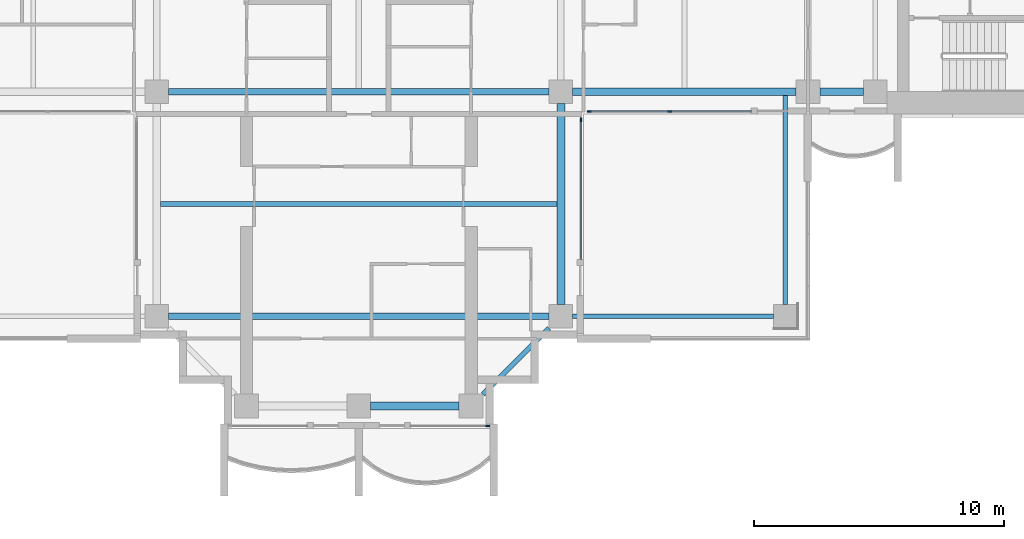
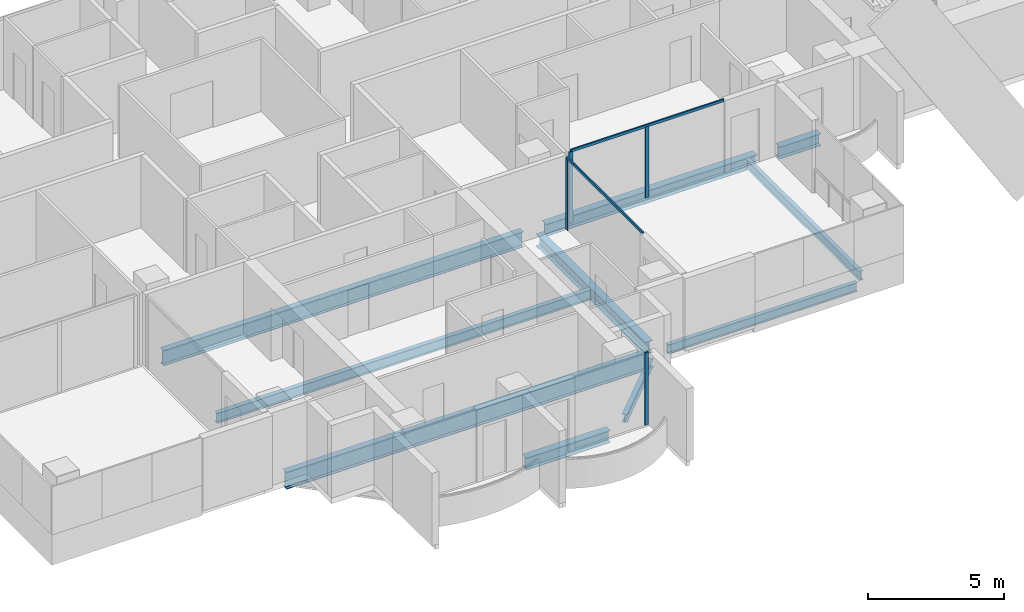
# One storey, part 4 of 20: 10 beams, 6 members, 3 elements without a shape of their own.
"""IFC4 building model written with IfcOpenShell, lengths in metres."""

from ifc_helpers import new_model, si_unit, direction, frame, origin, origin_2d, place, context, subcontext, project, spatial, rectangle, i_section, extrude, material, material_profile, profile_set, type_object, element, aggregate, save


model = new_model("IFC4")

# Units and contexts
model_context = context("Model", 3, precision=1e-05, world=origin(), true_north=direction((0.0, 1.0)))
body_context = subcontext(model_context, "Body", "Model", "MODEL_VIEW")
ifc_project = project(units=[si_unit("LENGTHUNIT", "METRE"), si_unit("AREAUNIT", "SQUARE_METRE"), si_unit("VOLUMEUNIT", "CUBIC_METRE"), si_unit("PLANEANGLEUNIT", "RADIAN"), si_unit("MASSUNIT", "GRAM", prefix="KILO")], contexts=[model_context])

# Site, building, storey
site_placement = place(None, origin())
site = spatial("IfcSite", under=ifc_project, at=site_placement, CompositionType="ELEMENT")
building_placement = place(site_placement, origin())
building = spatial("IfcBuilding", under=site, at=building_placement, Name="Perihelion Cross Residences", CompositionType="ELEMENT")
storey_placement = place(building_placement, frame((0.0, 0.0, 170.10009765625)))
storey = spatial("IfcBuildingStorey", under=building, at=storey_placement, Name="L41", CompositionType="ELEMENT", Elevation=170.10009765625)

# Curtain wall, member
ifc_material_1 = material(Name="Bronze anodised aluminium, tinted glazing", Category="aluminium")
curtain_wall_type = type_object("IfcCurtainWallType", Name="CW1", PredefinedType="NOTDEFINED", material=ifc_material_1)
curtain_wall_1_placement = place(storey_placement, origin())
curtain_wall_1 = element("IfcCurtainWall", 1, at=curtain_wall_1_placement, inside=storey, type_object=curtain_wall_type, Name="Curtain wall CW1 L41 south tip south bay 2", PredefinedType="NOTDEFINED")
ifc_material_2 = material(Name="Bronze anodised aluminium", Category="aluminium")
ifc_material_profile_1 = material_profile(ifc_material_2, rectangle(XDim=0.06005859375, YDim=0.159912109375, at=origin_2d()), Name="CW1 mullion")
ifc_profile_set_1 = profile_set([ifc_material_profile_1], Name="Bronze anodised aluminium")
member_type_1 = type_object("IfcMemberType", Name="CW1 mullion", PredefinedType="MULLION", material=ifc_profile_set_1)
member_1_placement = place(storey_placement, frame((5.169921875, -21.5, 0.0), z_axis=(0.0, 0.0, 1.0), x_axis=(0.0, 1.0, 0.0)))
member_1 = element("IfcMember", 2, at=member_1_placement, type_object=member_type_1, Name="CW1 mullion 2", PredefinedType="MULLION", context=body_context, shape_type="SweptSolid", body=[
    extrude(rectangle(XDim=0.06005859375, YDim=0.159912109375, at=origin_2d()), origin(), (0.0, 0.0, 1.0), 3.25),
])
aggregate(curtain_wall_1, [member_1])

curtain_wall_2_placement = place(storey_placement, origin())
curtain_wall_2 = element("IfcCurtainWall", 3, at=curtain_wall_2_placement, inside=storey, type_object=curtain_wall_type, Name="Curtain wall CW1 L41 south side east bay 1", PredefinedType="NOTDEFINED")
member_2_placement = place(storey_placement, frame((8.89990234375, -9.22998046875, 0.0), z_axis=(0.0, 0.0, 1.0), x_axis=(-1.0, 0.0, 0.0)))
member_2 = element("IfcMember", 4, at=member_2_placement, type_object=member_type_1, Name="CW1 mullion 2", PredefinedType="MULLION", context=body_context, shape_type="SweptSolid", body=[
    extrude(rectangle(XDim=0.06005859375, YDim=0.159912109375, at=origin_2d()), origin(), (0.0, 0.0, 1.0), 3.18994140625),
])

# Curtain wall, members
curtain_wall_3_placement = place(storey_placement, origin())
curtain_wall_3 = element("IfcCurtainWall", 5, at=curtain_wall_3_placement, inside=storey, type_object=curtain_wall_type, Name="Curtain wall CW1 L41 east side south bay 1", PredefinedType="NOTDEFINED")
member_3_placement = place(storey_placement, frame((9.22998046875, -8.89990234375, 0.0), z_axis=(0.0, 0.0, 1.0), x_axis=(0.0, 1.0, 0.0)))
member_3 = element("IfcMember", 6, at=member_3_placement, type_object=member_type_1, Name="CW1 mullion 1", PredefinedType="MULLION", context=body_context, shape_type="SweptSolid", body=[
    extrude(rectangle(XDim=0.06005859375, YDim=0.159912109375, at=origin_2d()), origin(), (0.0, 0.0, 1.0), 3.18994140625),
])
member_4_placement = place(storey_placement, frame((12.46240234375, -8.89990234375, 0.0), z_axis=(0.0, 0.0, 1.0), x_axis=(0.0, 1.0, 0.0)))
member_4 = element("IfcMember", 7, at=member_4_placement, type_object=member_type_1, Name="CW1 mullion 2", PredefinedType="MULLION", context=body_context, shape_type="SweptSolid", body=[
    extrude(rectangle(XDim=0.06005859375, YDim=0.159912109375, at=origin_2d()), origin(), (0.0, 0.0, 1.0), 3.18994140625),
])

# Member
ifc_material_3 = material(Name="Bronze anodised aluminium", Category="aluminium")
ifc_material_profile_2 = material_profile(ifc_material_3, rectangle(XDim=0.06005859375, YDim=0.1201171875, at=origin_2d()), Name="CW1 transom")
ifc_profile_set_2 = profile_set([ifc_material_profile_2], Name="Bronze anodised aluminium")
member_type_2 = type_object("IfcMemberType", Name="CW1 transom", PredefinedType="USERDEFINED", material=ifc_profile_set_2)
member_5_placement = place(storey_placement, frame((8.89990234375, -14.824951171875, 3.219970703125), z_axis=(0.0, 1.0, 0.0), x_axis=(-1.0, 0.0, 0.0)))
member_5 = element("IfcMember", 8, at=member_5_placement, type_object=member_type_2, Name="CW1 head transom", ObjectType="TRANSOM", PredefinedType="USERDEFINED", context=body_context, shape_type="SweptSolid", body=[
    extrude(rectangle(XDim=0.06005859375, YDim=0.1201171875, at=origin_2d()), origin(), (0.0, 0.0, 1.0), 5.594970703125),
])

aggregate(curtain_wall_2, [member_2, member_5])

member_6_placement = place(storey_placement, frame((9.22998046875, -8.89990234375, 3.219970703125), z_axis=(1.0, 0.0, 0.0), x_axis=(0.0, 1.0, 0.0)))
member_6 = element("IfcMember", 9, at=member_6_placement, type_object=member_type_2, Name="CW1 head transom", ObjectType="TRANSOM", PredefinedType="USERDEFINED", context=body_context, shape_type="SweptSolid", body=[
    extrude(rectangle(XDim=0.06005859375, YDim=0.1201171875, at=origin_2d()), origin(), (0.0, 0.0, 1.0), 6.4951171875),
])

aggregate(curtain_wall_3, [member_3, member_4, member_6])

# Beams
ifc_material_4 = material(Name="Steel S355", Category="steel")
ifc_material_profile_3 = material_profile(ifc_material_4, i_section(OverallWidth=0.177978515625, OverallDepth=0.406005859375, WebThickness=0.0078125, FlangeThickness=0.0126953125, at=origin_2d()), Name="W410x60")
ifc_profile_set_3 = profile_set([ifc_material_profile_3], Name="Steel S355")
beam_type_1 = type_object("IfcBeamType", Name="Core edge beam W410x60", PredefinedType="BEAM", material=ifc_profile_set_3)
beam_1_placement = place(storey_placement, frame((17.10009765625, -8.256103515625, -0.453125), z_axis=(0.0, -1.0, 0.0), x_axis=(1.0, 0.0, 0.0)))
element("IfcBeam", 10, at=beam_1_placement, inside=storey, type_object=beam_type_1, Name="Core edge beam TB2 L41 corner no. 3", PredefinedType="BEAM", context=body_context, shape_type="SweptSolid", body=[
    extrude(i_section(OverallWidth=0.177978515625, OverallDepth=0.406005859375, WebThickness=0.0078125, FlangeThickness=0.0126953125, at=origin_2d()), origin(), (0.0, 0.0, 1.0), 8.368896484375),
])
beam_2_placement = place(storey_placement, frame((8.574951171875, -17.10009765625, -0.453125), z_axis=(1.0, 0.0, 0.0), x_axis=(0.0, 1.0, 0.0)))
element("IfcBeam", 11, at=beam_2_placement, inside=storey, type_object=beam_type_1, Name="Core edge beam TB2 L41 corner no. 4", PredefinedType="BEAM", context=body_context, shape_type="SweptSolid", body=[
    extrude(i_section(OverallWidth=0.177978515625, OverallDepth=0.406005859375, WebThickness=0.0078125, FlangeThickness=0.0126953125, at=origin_2d()), origin(), (0.0, 0.0, 1.0), 8.050048828125),
])
ifc_material_5 = material(Name="Steel S355", Category="steel")
ifc_material_profile_4 = material_profile(ifc_material_5, i_section(OverallWidth=0.31201171875, OverallDepth=0.5439453125, WebThickness=0.0126953125, FlangeThickness=0.020263671875, at=origin_2d()), Name="W530x150")
ifc_profile_set_4 = profile_set([ifc_material_profile_4], Name="Steel S355")
beam_type_2 = type_object("IfcBeamType", Name="Edge beam W530x150", PredefinedType="SPANDREL", material=ifc_profile_set_4)
beam_3_placement = place(storey_placement, frame((0.47509765625, -20.699951171875, -0.522216796875), z_axis=(1.0, 0.0, 0.0), x_axis=(0.0, 1.0, 0.0)))
element("IfcBeam", 12, at=beam_3_placement, inside=storey, type_object=beam_type_2, Name="Edge beam SB4 L41 no. 7", PredefinedType="SPANDREL", context=body_context, shape_type="SweptSolid", body=[
    extrude(i_section(OverallWidth=0.31201171875, OverallDepth=0.5439453125, WebThickness=0.0126953125, FlangeThickness=0.020263671875, at=origin_2d()), origin(), (0.0, 0.0, 1.0), 3.5498046875),
])
beam_4_placement = place(storey_placement, frame((8.10009765625, -16.625, -0.522216796875), z_axis=(0.0, 1.0, 0.0), x_axis=(-1.0, 0.0, 0.0)))
element("IfcBeam", 13, at=beam_4_placement, inside=storey, type_object=beam_type_2, Name="Edge beam SB4 L41 no. 11", PredefinedType="SPANDREL", context=body_context, shape_type="SweptSolid", body=[
    extrude(i_section(OverallWidth=0.31201171875, OverallDepth=0.5439453125, WebThickness=0.0126953125, FlangeThickness=0.020263671875, at=origin_2d()), origin(), (0.0, 0.0, 1.0), 8.050048828125),
])
beam_5_placement = place(storey_placement, frame((8.574951171875, -8.10009765625, -0.522216796875), z_axis=(1.0, 0.0, 0.0), x_axis=(0.0, 1.0, 0.0)))
element("IfcBeam", 14, at=beam_5_placement, inside=storey, type_object=beam_type_2, Name="Edge beam SB4 L41 no. 12", PredefinedType="SPANDREL", context=body_context, shape_type="SweptSolid", body=[
    extrude(i_section(OverallWidth=0.31201171875, OverallDepth=0.5439453125, WebThickness=0.0126953125, FlangeThickness=0.020263671875, at=origin_2d()), origin(), (0.0, 0.0, 1.0), 8.949951171875),
])
beam_6_placement = place(storey_placement, frame((18.47509765625, -8.10009765625, -0.522216796875), z_axis=(1.0, 0.0, 0.0), x_axis=(0.0, 1.0, 0.0)))
element("IfcBeam", 15, at=beam_6_placement, inside=storey, type_object=beam_type_2, Name="Edge beam SB4 L41 no. 8", PredefinedType="SPANDREL", context=body_context, shape_type="SweptSolid", body=[
    extrude(i_section(OverallWidth=0.31201171875, OverallDepth=0.5439453125, WebThickness=0.0126953125, FlangeThickness=0.020263671875, at=origin_2d()), origin(), (0.0, 0.0, 1.0), 1.75),
])
ifc_material_6 = material(Name="Steel S355", Category="steel")
ifc_material_profile_5 = material_profile(ifc_material_6, i_section(OverallWidth=0.26708984375, OverallDepth=0.77001953125, WebThickness=0.015625, FlangeThickness=0.025390625, at=origin_2d()), Name="W760x196")
ifc_profile_set_5 = profile_set([ifc_material_profile_5], Name="Steel S355")
beam_type_3 = type_object("IfcBeamType", Name="Floor girder W760x196", PredefinedType="BEAM", material=ifc_profile_set_5)
beam_7_placement = place(storey_placement, frame((-7.625, -17.10009765625, -0.635009765625), z_axis=(1.0, 0.0, 0.0), x_axis=(0.0, 1.0, 0.0)))
element("IfcBeam", 16, at=beam_7_placement, inside=storey, type_object=beam_type_3, Name="Girder G4 L41 no. 3", PredefinedType="BEAM", context=body_context, shape_type="SweptSolid", body=[
    extrude(i_section(OverallWidth=0.26708984375, OverallDepth=0.77001953125, WebThickness=0.015625, FlangeThickness=0.025390625, at=origin_2d()), origin(), (0.0, 0.0, 1.0), 15.25),
])
ifc_material_7 = material(Name="Steel S355", Category="steel")
ifc_material_profile_6 = material_profile(ifc_material_7, i_section(OverallWidth=0.19091796875, OverallDepth=0.45703125, WebThickness=0.009033203125, FlangeThickness=0.014404296875, at=origin_2d()), Name="W460x74")
ifc_profile_set_6 = profile_set([ifc_material_profile_6], Name="Steel S355")
beam_type_4 = type_object("IfcBeamType", Name="Floor joist W460x74", PredefinedType="JOIST", material=ifc_profile_set_6)
beam_8_placement = place(storey_placement, frame((-7.944091796875, -12.60009765625, -0.478515625), z_axis=(1.0, 0.0, 0.0), x_axis=(0.0, 1.0, 0.0)))
element("IfcBeam", 17, at=beam_8_placement, inside=storey, type_object=beam_type_4, Name="Joist J5 L41 no. 3", PredefinedType="JOIST", context=body_context, shape_type="SweptSolid", body=[
    extrude(i_section(OverallWidth=0.19091796875, OverallDepth=0.45703125, WebThickness=0.009033203125, FlangeThickness=0.014404296875, at=origin_2d()), origin(), (0.0, 0.0, 1.0), 15.88818359375),
])
ifc_material_8 = material(Name="Steel S355", Category="steel")
ifc_material_profile_7 = material_profile(ifc_material_8, i_section(OverallWidth=0.257080078125, OverallDepth=0.693115234375, WebThickness=0.014404296875, FlangeThickness=0.023681640625, at=origin_2d()), Name="W690x170")
ifc_profile_set_7 = profile_set([ifc_material_profile_7], Name="Steel S355")
beam_type_5 = type_object("IfcBeamType", Name="Hub ring girder W690x170", PredefinedType="BEAM", material=ifc_profile_set_7)
beam_9_placement = place(storey_placement, frame((-7.625, -8.10009765625, -0.5966796875), z_axis=(1.0, 0.0, 0.0), x_axis=(0.0, 1.0, 0.0)))
element("IfcBeam", 18, at=beam_9_placement, inside=storey, type_object=beam_type_5, Name="Hub ring girder RG4 L41 no. 1", PredefinedType="BEAM", context=body_context, shape_type="SweptSolid", body=[
    extrude(i_section(OverallWidth=0.257080078125, OverallDepth=0.693115234375, WebThickness=0.014404296875, FlangeThickness=0.023681640625, at=origin_2d()), origin(), (0.0, 0.0, 1.0), 15.25),
])
ifc_material_9 = material(Name="Steel S355", Category="steel")
ifc_material_profile_8 = material_profile(ifc_material_9, i_section(OverallWidth=0.205078125, OverallDepth=0.35302734375, WebThickness=0.009521484375, FlangeThickness=0.016845703125, at=origin_2d()), Name="W360x79")
ifc_profile_set_8 = profile_set([ifc_material_profile_8], Name="Steel S355")
beam_type_6 = type_object("IfcBeamType", Name="Serration edge beam W360x79", PredefinedType="BEAM", material=ifc_profile_set_8)
beam_10_placement = place(storey_placement, frame((4.97509765625, -20.22509765625, -0.426513671875), z_axis=(0.70707420838, 0.707139352493, 0.0), x_axis=(-0.707139352493, 0.70707420838, 0.0)))
element("IfcBeam", 19, at=beam_10_placement, inside=storey, type_object=beam_type_6, Name="Serration edge beam EB4 L41 no. 2", PredefinedType="BEAM", context=body_context, shape_type="SweptSolid", body=[
    extrude(i_section(OverallWidth=0.205078125, OverallDepth=0.35302734375, WebThickness=0.009521484375, FlangeThickness=0.016845703125, at=origin_2d()), origin(), (0.0, 0.0, 1.0), 3.747802734375),
])

save(model, "model.ifc")
